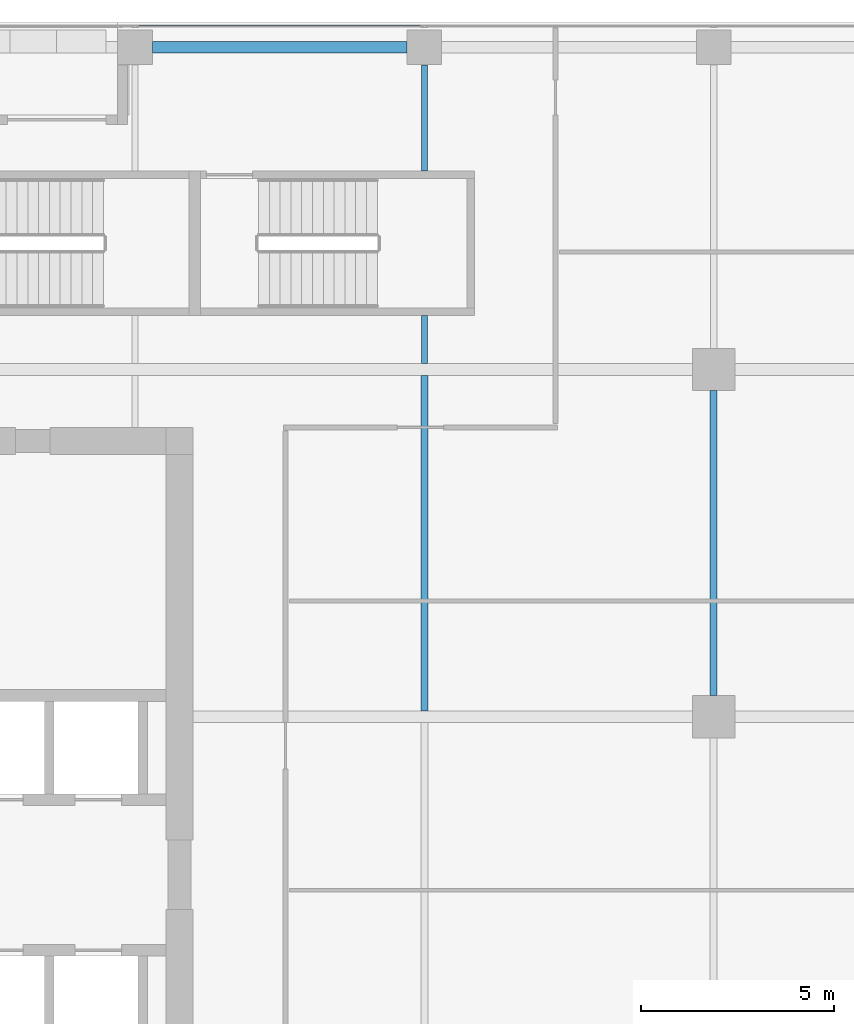
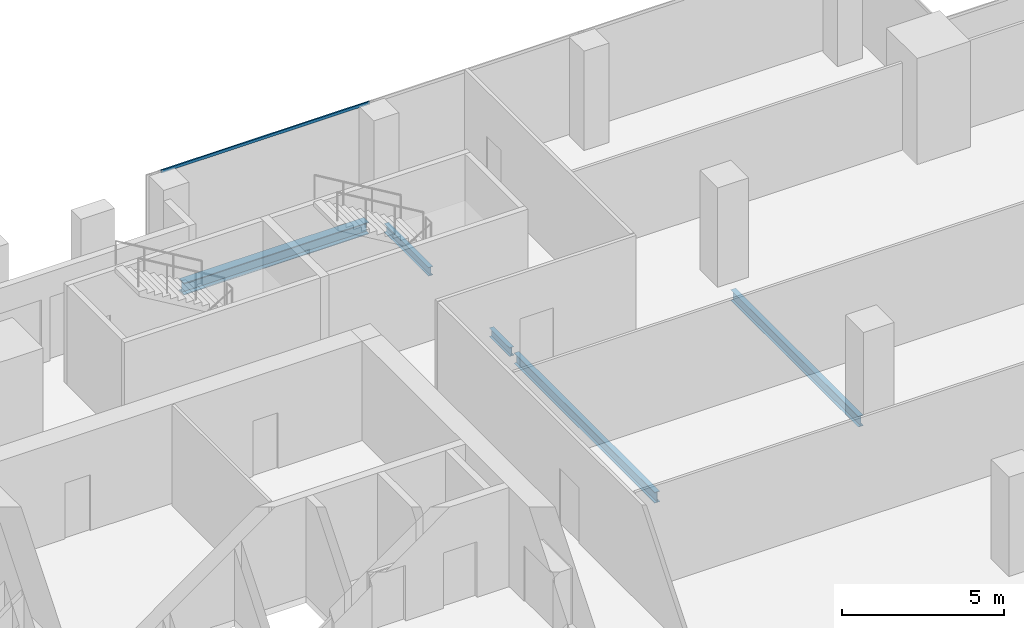
# One storey, part 17 of 34: 5 beams, 1 member, 1 element without a shape of its own.
"""IFC4 building model written with IfcOpenShell, lengths in metres."""

from ifc_helpers import new_model, si_unit, direction, frame, origin, origin_2d, place, context, subcontext, project, spatial, hollow_rectangle, i_section, extrude, source, transform, mapped, material, material_profile, profile_set, type_object, element, aggregate, save


model = new_model("IFC4")

# Units and contexts
model_context = context("Model", 3, precision=1e-05, world=origin(), true_north=direction((0.0, 1.0)))
body_context = subcontext(model_context, "Body", "Model", "MODEL_VIEW")
ifc_project = project(units=[si_unit("LENGTHUNIT", "METRE"), si_unit("AREAUNIT", "SQUARE_METRE"), si_unit("VOLUMEUNIT", "CUBIC_METRE"), si_unit("PLANEANGLEUNIT", "RADIAN"), si_unit("MASSUNIT", "GRAM", prefix="KILO")], contexts=[model_context])

# Site, building, storey
site_placement = place(None, origin())
site = spatial("IfcSite", under=ifc_project, at=site_placement, CompositionType="ELEMENT")
building_placement = place(site_placement, origin())
building = spatial("IfcBuilding", under=site, at=building_placement, Name="Khomas Fold Tower", CompositionType="ELEMENT")
storey_placement = place(building_placement, frame((0.0, 0.0, 254.199951171875)))
storey = spatial("IfcBuildingStorey", under=building, at=storey_placement, Name="L57", CompositionType="ELEMENT", Elevation=254.199951171875)

# Beams
ifc_material_1 = material(Name="Steel S355", Category="steel")
ifc_material_profile_1 = material_profile(ifc_material_1, i_section(OverallWidth=0.179931640625, OverallDepth=0.39990234375, WebThickness=0.008544921875, FlangeThickness=0.013427734375, at=origin_2d()), Name="IPE 400")
ifc_profile_set_1 = profile_set([ifc_material_profile_1], Name="Steel S355")
beam_type_1 = type_object("IfcBeamType", Name="IPE 400 beam JB3", PredefinedType="BEAM", material=ifc_profile_set_1)
shared_shape_1 = source(origin(), body_context, "Body", "SweptSolid", [
    extrude(i_section(OverallWidth=0.179931640625, OverallDepth=0.39990234375, WebThickness=0.008544921875, FlangeThickness=0.013427734375, at=origin_2d()), origin(), (0.0, 0.0, 1.0), 8.7001953125),
])
beam_1_placement = place(storey_placement, frame((27.0, 31.64990234375, -0.449951171875), z_axis=(0.0, 1.0, 0.0), x_axis=(-1.0, 0.0, 0.0)))
element("IfcBeam", 1, at=beam_1_placement, inside=storey, type_object=beam_type_1, Name="JB3", PredefinedType="BEAM", context=body_context, shape_type="MappedRepresentation", body=[
    mapped(shared_shape_1, transform((0.0, 0.0, 0.0))),
])
ifc_material_2 = material(Name="Steel S355", Category="steel")
ifc_material_profile_2 = material_profile(ifc_material_2, i_section(OverallWidth=0.159912109375, OverallDepth=0.330078125, WebThickness=0.007568359375, FlangeThickness=0.011474609375, at=origin_2d()), Name="IPE 330")
ifc_profile_set_2 = profile_set([ifc_material_profile_2], Name="Steel S355")
beam_type_2 = type_object("IfcBeamType", Name="IPE 330 beam JB1", PredefinedType="BEAM", material=ifc_profile_set_2)
shared_shape_2 = source(origin(), body_context, "Body", "SweptSolid", [
    extrude(i_section(OverallWidth=0.159912109375, OverallDepth=0.330078125, WebThickness=0.007568359375, FlangeThickness=0.011474609375, at=origin_2d()), origin(), (0.0, 0.0, 1.0), 1.25),
])
beam_2_placement = place(storey_placement, frame((27.0, 40.64990234375, -0.4150390625), z_axis=(0.0, 1.0, 0.0), x_axis=(-1.0, 0.0, 0.0)))
element("IfcBeam", 2, at=beam_2_placement, inside=storey, type_object=beam_type_2, Name="JB1", PredefinedType="BEAM", context=body_context, shape_type="MappedRepresentation", body=[
    mapped(shared_shape_2, transform((0.0, 0.0, 0.0))),
])
shared_shape_3 = source(origin(), body_context, "Body", "SweptSolid", [
    extrude(i_section(OverallWidth=0.159912109375, OverallDepth=0.330078125, WebThickness=0.007568359375, FlangeThickness=0.011474609375, at=origin_2d()), origin(), (0.0, 0.0, 1.0), 2.75),
])
beam_3_placement = place(storey_placement, frame((27.0, 45.64990234375, -0.4150390625), z_axis=(0.0, 1.0, 0.0), x_axis=(-1.0, 0.0, 0.0)))
element("IfcBeam", 3, at=beam_3_placement, inside=storey, type_object=beam_type_2, Name="JB1", PredefinedType="BEAM", context=body_context, shape_type="MappedRepresentation", body=[
    mapped(shared_shape_3, transform((0.0, 0.0, 0.0))),
])
ifc_material_3 = material(Name="Steel S355", Category="steel")
ifc_material_profile_3 = material_profile(ifc_material_3, i_section(OverallWidth=0.300048828125, OverallDepth=0.449951171875, WebThickness=0.013916015625, FlangeThickness=0.02587890625, at=origin_2d()), Name="HE 450 B")
ifc_profile_set_3 = profile_set([ifc_material_profile_3], Name="Steel S355")
beam_type_3 = type_object("IfcBeamType", Name="HE 450 B spandrel SB4", PredefinedType="SPANDREL", material=ifc_profile_set_3)
shared_shape_4 = source(origin(), body_context, "Body", "SweptSolid", [
    extrude(i_section(OverallWidth=0.300048828125, OverallDepth=0.449951171875, WebThickness=0.013916015625, FlangeThickness=0.02587890625, at=origin_2d()), origin(), (0.0, 0.0, 1.0), 6.60009765625),
])
beam_4_placement = place(storey_placement, frame((19.949951171875, 48.85009765625, -0.474853515625), z_axis=(1.0, 0.0, 0.0), x_axis=(0.0, 1.0, 0.0)))
element("IfcBeam", 4, at=beam_4_placement, inside=storey, type_object=beam_type_3, Name="SB4", PredefinedType="SPANDREL", context=body_context, shape_type="MappedRepresentation", body=[
    mapped(shared_shape_4, transform((0.0, 0.0, 0.0))),
])
shared_shape_5 = source(origin(), body_context, "Body", "SweptSolid", [
    extrude(i_section(OverallWidth=0.179931640625, OverallDepth=0.39990234375, WebThickness=0.008544921875, FlangeThickness=0.013427734375, at=origin_2d()), origin(), (0.0, 0.0, 1.0), 7.89990234375),
])
beam_5_placement = place(storey_placement, frame((34.5, 32.050048828125, -0.449951171875), z_axis=(0.0, 1.0, 0.0), x_axis=(-1.0, 0.0, 0.0)))
element("IfcBeam", 5, at=beam_5_placement, inside=storey, type_object=beam_type_1, Name="JB3", PredefinedType="BEAM", context=body_context, shape_type="MappedRepresentation", body=[
    mapped(shared_shape_5, transform((0.0, 0.0, 0.0))),
])

# Curtain wall, member
ifc_material_4 = material(Name="Aluminium framed double glazing", Category="aluminium")
curtain_wall_type = type_object("IfcCurtainWallType", Name="SK-Unitised clear-glass wall, office floors CW2", PredefinedType="NOTDEFINED", material=ifc_material_4)
curtain_wall_placement = place(storey_placement, origin())
curtain_wall = element("IfcCurtainWall", 6, at=curtain_wall_placement, inside=storey, type_object=curtain_wall_type, Name="CW2 run L57 06-0", PredefinedType="NOTDEFINED")
ifc_material_5 = material(Name="Aluminium", Category="aluminium")
ifc_material_profile_4 = material_profile(ifc_material_5, hollow_rectangle(XDim=0.050048828125, YDim=0.110107421875, WallThickness=0.00390625, at=origin_2d()), Name="SK-Unitised clear-glass wall, office floors transom CW2-T")
ifc_profile_set_4 = profile_set([ifc_material_profile_4], Name="Aluminium")
member_type = type_object("IfcMemberType", Name="SK-Unitised clear-glass wall, office floors transom CW2-T", PredefinedType="USERDEFINED", material=ifc_profile_set_4)
shared_shape_6 = source(origin(), body_context, "Body", "SweptSolid", [
    extrude(hollow_rectangle(XDim=0.050048828125, YDim=0.110107421875, WallThickness=0.00390625, at=origin_2d()), origin(), (0.0, 0.0, 1.0), 7.43994140625),
])
member_placement = place(storey_placement, frame((26.969970703125, 49.39990234375, 3.695068359375), z_axis=(-1.0, 0.0, 0.0), x_axis=(0.0, -1.0, 0.0)))
member = element("IfcMember", 7, at=member_placement, type_object=member_type, Name="CW2 transom 4", ObjectType="TRANSOM", PredefinedType="USERDEFINED", context=body_context, shape_type="MappedRepresentation", body=[
    mapped(shared_shape_6, transform((0.0, 0.0, 0.0))),
])
aggregate(curtain_wall, [member])

save(model, "model.ifc")
